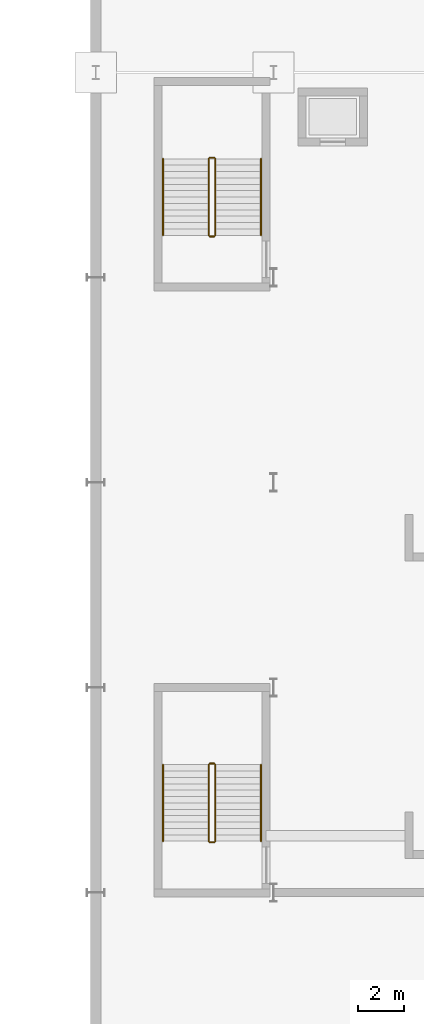
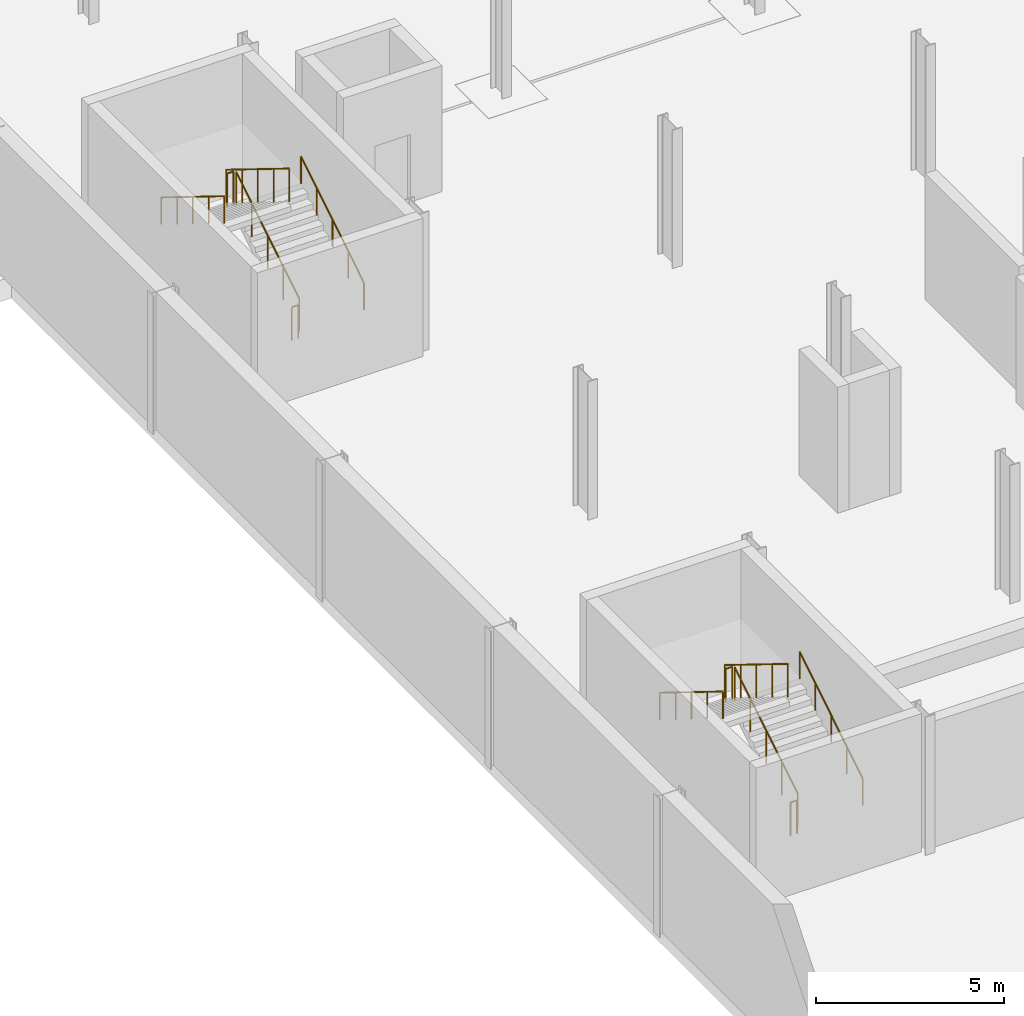
# One storey, part 35 of 45: 12 railings.
"""IFC4 building model written with IfcOpenShell, lengths in metres."""

from ifc_helpers import new_model, si_unit, direction, frame, origin, origin_2d, place, context, subcontext, project, spatial, circle, extrude, material, type_object, element, save


model = new_model("IFC4")

# Units and contexts
model_context = context("Model", 3, precision=1e-05, world=origin(), true_north=direction((0.0, 1.0)))
body_context = subcontext(model_context, "Body", "Model", "MODEL_VIEW")
ifc_project = project(units=[si_unit("LENGTHUNIT", "METRE"), si_unit("AREAUNIT", "SQUARE_METRE"), si_unit("VOLUMEUNIT", "CUBIC_METRE"), si_unit("PLANEANGLEUNIT", "RADIAN"), si_unit("MASSUNIT", "GRAM", prefix="KILO")], contexts=[model_context])

# Site, building, storey
site_placement = place(None, origin())
site = spatial("IfcSite", under=ifc_project, at=site_placement, CompositionType="ELEMENT")
building_placement = place(site_placement, origin())
building = spatial("IfcBuilding", under=site, at=building_placement, Name="Sefraquen Railside Congress Hotel", CompositionType="ELEMENT")
storey_placement = place(building_placement, frame((0.0, 0.0, -4.5)))
storey = spatial("IfcBuildingStorey", under=building, at=storey_placement, Name="B01", CompositionType="ELEMENT", Elevation=-4.5)

# Railings
ifc_material = material(Name="Patinated wrought architectural bronze", Category="metal")
railing_type_1 = type_object("IfcRailingType", Name="TRL-BAL-110", PredefinedType="BALUSTRADE", material=ifc_material)
railing_1_placement = place(storey_placement, frame((30.449951171875, 20.260009765625, 0.173095703125)))
element("IfcRailing", 1, at=railing_1_placement, inside=storey, type_object=railing_type_1, Name="B01 ST-C01 stair guard 1", PredefinedType="BALUSTRADE", context=body_context, shape_type="SweptSolid", body=[
    extrude(circle(Radius=0.02392578125, at=origin_2d()), frame((0.0, 0.0, 1.076171875), z_axis=(0.0, 0.850623216509, 0.525775754039), x_axis=(-1.0, 0.0, 0.0)), (0.0, 0.0, 1.0), 3.9501953125),
    extrude(circle(Radius=0.02099609375, at=origin_2d()), origin(), (0.0, 0.0, 1.0), 1.052001953125),
    extrude(circle(Radius=0.02099609375, at=origin_2d()), frame((0.0, 0.840087890625, 0.519287109375)), (0.0, 0.0, 1.0), 1.052001953125),
    extrude(circle(Radius=0.02099609375, at=origin_2d()), frame((0.0, 1.68017578125, 1.03857421875)), (0.0, 0.0, 1.0), 1.052001953125),
    extrude(circle(Radius=0.02099609375, at=origin_2d()), frame((0.0, 2.52001953125, 1.5576171875)), (0.0, 0.0, 1.0), 1.052001953125),
    extrude(circle(Radius=0.02099609375, at=origin_2d()), frame((0.0, 3.360107421875, 2.076904296875)), (0.0, 0.0, 1.0), 1.052001953125),
])
railing_2_placement = place(storey_placement, frame((30.39990234375, 23.669921875, 2.25)))
element("IfcRailing", 2, at=railing_2_placement, inside=storey, type_object=railing_type_1, Name="B01 ST-C01 stair guard 2", PredefinedType="BALUSTRADE", context=body_context, shape_type="SweptSolid", body=[
    extrude(circle(Radius=0.02392578125, at=origin_2d()), frame((0.0, 0.0, 1.076171875), z_axis=(-1.0, 0.0, 0.0), x_axis=(0.0, -1.0, 0.0)), (0.0, 0.0, 1.0), 0.199951171875),
    extrude(circle(Radius=0.02099609375, at=origin_2d()), origin(), (0.0, 0.0, 1.0), 1.052001953125),
    extrude(circle(Radius=0.02099609375, at=origin_2d()), frame((-0.199951171875, 0.0, 0.0)), (0.0, 0.0, 1.0), 1.052001953125),
])
railing_3_placement = place(storey_placement, frame((30.14990234375, 23.6201171875, 2.423095703125)))
element("IfcRailing", 3, at=railing_3_placement, inside=storey, type_object=railing_type_1, Name="B01 ST-C01 stair guard 3", PredefinedType="BALUSTRADE", context=body_context, shape_type="SweptSolid", body=[
    extrude(circle(Radius=0.02392578125, at=origin_2d()), frame((0.0, 0.0, 1.076171875), z_axis=(0.0, -0.850623216509, 0.525775754039), x_axis=(1.0, 0.0, 0.0)), (0.0, 0.0, 1.0), 3.9501953125),
    extrude(circle(Radius=0.02099609375, at=origin_2d()), origin(), (0.0, 0.0, 1.0), 1.052001953125),
    extrude(circle(Radius=0.02099609375, at=origin_2d()), frame((0.0, -0.840087890625, 0.519287109375)), (0.0, 0.0, 1.0), 1.052001953125),
    extrude(circle(Radius=0.02099609375, at=origin_2d()), frame((0.0, -1.68017578125, 1.03857421875)), (0.0, 0.0, 1.0), 1.052001953125),
    extrude(circle(Radius=0.02099609375, at=origin_2d()), frame((0.0, -2.52001953125, 1.5576171875)), (0.0, 0.0, 1.0), 1.052001953125),
    extrude(circle(Radius=0.02099609375, at=origin_2d()), frame((0.0, -3.360107421875, 2.076904296875)), (0.0, 0.0, 1.0), 1.052001953125),
])
railing_4_placement = place(storey_placement, frame((30.39990234375, 20.2099609375, 0.0)))
element("IfcRailing", 4, at=railing_4_placement, inside=storey, type_object=railing_type_1, Name="B01 ST-C01 stair guard 4", PredefinedType="BALUSTRADE", context=body_context, shape_type="SweptSolid", body=[
    extrude(circle(Radius=0.02392578125, at=origin_2d()), frame((0.0, 0.0, 1.076171875), z_axis=(-1.0, 0.0, 0.0), x_axis=(0.0, -1.0, 0.0)), (0.0, 0.0, 1.0), 0.199951171875),
    extrude(circle(Radius=0.02099609375, at=origin_2d()), origin(), (0.0, 0.0, 1.0), 1.052001953125),
    extrude(circle(Radius=0.02099609375, at=origin_2d()), frame((-0.199951171875, 0.0, 0.0)), (0.0, 0.0, 1.0), 1.052001953125),
])
railing_5_placement = place(storey_placement, frame((30.449951171875, 46.85009765625, 0.173095703125)))
element("IfcRailing", 5, at=railing_5_placement, inside=storey, type_object=railing_type_1, Name="B01 ST-C02 stair guard 1", PredefinedType="BALUSTRADE", context=body_context, shape_type="SweptSolid", body=[
    extrude(circle(Radius=0.02392578125, at=origin_2d()), frame((0.0, 0.0, 1.076171875), z_axis=(0.0, 0.850606129759, 0.525803396734), x_axis=(-1.0, 0.0, 0.0)), (0.0, 0.0, 1.0), 3.949951171875),
    extrude(circle(Radius=0.02099609375, at=origin_2d()), origin(), (0.0, 0.0, 1.0), 1.052001953125),
    extrude(circle(Radius=0.02099609375, at=origin_2d()), frame((0.0, 0.83984375, 0.519287109375)), (0.0, 0.0, 1.0), 1.052001953125),
    extrude(circle(Radius=0.02099609375, at=origin_2d()), frame((0.0, 1.679931640625, 1.03857421875)), (0.0, 0.0, 1.0), 1.052001953125),
    extrude(circle(Radius=0.02099609375, at=origin_2d()), frame((0.0, 2.52001953125, 1.5576171875)), (0.0, 0.0, 1.0), 1.052001953125),
    extrude(circle(Radius=0.02099609375, at=origin_2d()), frame((0.0, 3.35986328125, 2.076904296875)), (0.0, 0.0, 1.0), 1.052001953125),
])
railing_6_placement = place(storey_placement, frame((30.39990234375, 50.260009765625, 2.25)))
element("IfcRailing", 6, at=railing_6_placement, inside=storey, type_object=railing_type_1, Name="B01 ST-C02 stair guard 2", PredefinedType="BALUSTRADE", context=body_context, shape_type="SweptSolid", body=[
    extrude(circle(Radius=0.02392578125, at=origin_2d()), frame((0.0, 0.0, 1.076171875), z_axis=(-1.0, 0.0, 0.0), x_axis=(0.0, -1.0, 0.0)), (0.0, 0.0, 1.0), 0.199951171875),
    extrude(circle(Radius=0.02099609375, at=origin_2d()), origin(), (0.0, 0.0, 1.0), 1.052001953125),
    extrude(circle(Radius=0.02099609375, at=origin_2d()), frame((-0.199951171875, 0.0, 0.0)), (0.0, 0.0, 1.0), 1.052001953125),
])
railing_7_placement = place(storey_placement, frame((30.14990234375, 50.2099609375, 2.423095703125)))
element("IfcRailing", 7, at=railing_7_placement, inside=storey, type_object=railing_type_1, Name="B01 ST-C02 stair guard 3", PredefinedType="BALUSTRADE", context=body_context, shape_type="SweptSolid", body=[
    extrude(circle(Radius=0.02392578125, at=origin_2d()), frame((0.0, 0.0, 1.076171875), z_axis=(0.0, -0.850606129759, 0.525803396734), x_axis=(1.0, 0.0, 0.0)), (0.0, 0.0, 1.0), 3.949951171875),
    extrude(circle(Radius=0.02099609375, at=origin_2d()), origin(), (0.0, 0.0, 1.0), 1.052001953125),
    extrude(circle(Radius=0.02099609375, at=origin_2d()), frame((0.0, -0.83984375, 0.519287109375)), (0.0, 0.0, 1.0), 1.052001953125),
    extrude(circle(Radius=0.02099609375, at=origin_2d()), frame((0.0, -1.679931640625, 1.03857421875)), (0.0, 0.0, 1.0), 1.052001953125),
    extrude(circle(Radius=0.02099609375, at=origin_2d()), frame((0.0, -2.52001953125, 1.5576171875)), (0.0, 0.0, 1.0), 1.052001953125),
    extrude(circle(Radius=0.02099609375, at=origin_2d()), frame((0.0, -3.35986328125, 2.076904296875)), (0.0, 0.0, 1.0), 1.052001953125),
])
railing_8_placement = place(storey_placement, frame((30.39990234375, 46.800048828125, 0.0)))
element("IfcRailing", 8, at=railing_8_placement, inside=storey, type_object=railing_type_1, Name="B01 ST-C02 stair guard 4", PredefinedType="BALUSTRADE", context=body_context, shape_type="SweptSolid", body=[
    extrude(circle(Radius=0.02392578125, at=origin_2d()), frame((0.0, 0.0, 1.076171875), z_axis=(-1.0, 0.0, 0.0), x_axis=(0.0, -1.0, 0.0)), (0.0, 0.0, 1.0), 0.199951171875),
    extrude(circle(Radius=0.02099609375, at=origin_2d()), origin(), (0.0, 0.0, 1.0), 1.052001953125),
    extrude(circle(Radius=0.02099609375, at=origin_2d()), frame((-0.199951171875, 0.0, 0.0)), (0.0, 0.0, 1.0), 1.052001953125),
])
railing_type_2 = type_object("IfcRailingType", Name="TRL-HR-090", PredefinedType="HANDRAIL", material=ifc_material)
railing_9_placement = place(storey_placement, frame((32.449951171875, 20.260009765625, 0.173095703125)))
element("IfcRailing", 9, at=railing_9_placement, inside=storey, type_object=railing_type_2, Name="B01 ST-C01 stair handrail 1", PredefinedType="HANDRAIL", context=body_context, shape_type="SweptSolid", body=[
    extrude(circle(Radius=0.02392578125, at=origin_2d()), frame((0.0, 0.0, 0.8759765625), z_axis=(0.0, 0.850623216509, 0.525775754039), x_axis=(-1.0, 0.0, 0.0)), (0.0, 0.0, 1.0), 3.9501953125),
    extrude(circle(Radius=0.02099609375, at=origin_2d()), origin(), (0.0, 0.0, 1.0), 0.851806640625),
    extrude(circle(Radius=0.02099609375, at=origin_2d()), frame((0.0, 0.840087890625, 0.519287109375)), (0.0, 0.0, 1.0), 0.851806640625),
    extrude(circle(Radius=0.02099609375, at=origin_2d()), frame((0.0, 1.68017578125, 1.03857421875)), (0.0, 0.0, 1.0), 0.851806640625),
    extrude(circle(Radius=0.02099609375, at=origin_2d()), frame((0.0, 2.52001953125, 1.5576171875)), (0.0, 0.0, 1.0), 0.851806640625),
    extrude(circle(Radius=0.02099609375, at=origin_2d()), frame((0.0, 3.360107421875, 2.076904296875)), (0.0, 0.0, 1.0), 0.851806640625),
])
railing_10_placement = place(storey_placement, frame((28.14990234375, 23.6201171875, 2.423095703125)))
element("IfcRailing", 10, at=railing_10_placement, inside=storey, type_object=railing_type_2, Name="B01 ST-C01 stair handrail 2", PredefinedType="HANDRAIL", context=body_context, shape_type="SweptSolid", body=[
    extrude(circle(Radius=0.02392578125, at=origin_2d()), frame((0.0, 0.0, 0.8759765625), z_axis=(0.0, -0.850623216509, 0.525775754039), x_axis=(1.0, 0.0, 0.0)), (0.0, 0.0, 1.0), 3.9501953125),
    extrude(circle(Radius=0.02099609375, at=origin_2d()), origin(), (0.0, 0.0, 1.0), 0.851806640625),
    extrude(circle(Radius=0.02099609375, at=origin_2d()), frame((0.0, -0.840087890625, 0.519287109375)), (0.0, 0.0, 1.0), 0.851806640625),
    extrude(circle(Radius=0.02099609375, at=origin_2d()), frame((0.0, -1.68017578125, 1.03857421875)), (0.0, 0.0, 1.0), 0.851806640625),
    extrude(circle(Radius=0.02099609375, at=origin_2d()), frame((0.0, -2.52001953125, 1.5576171875)), (0.0, 0.0, 1.0), 0.851806640625),
    extrude(circle(Radius=0.02099609375, at=origin_2d()), frame((0.0, -3.360107421875, 2.076904296875)), (0.0, 0.0, 1.0), 0.851806640625),
])
railing_11_placement = place(storey_placement, frame((32.449951171875, 46.85009765625, 0.173095703125)))
element("IfcRailing", 11, at=railing_11_placement, inside=storey, type_object=railing_type_2, Name="B01 ST-C02 stair handrail 1", PredefinedType="HANDRAIL", context=body_context, shape_type="SweptSolid", body=[
    extrude(circle(Radius=0.02392578125, at=origin_2d()), frame((0.0, 0.0, 0.8759765625), z_axis=(0.0, 0.850606129759, 0.525803396734), x_axis=(-1.0, 0.0, 0.0)), (0.0, 0.0, 1.0), 3.949951171875),
    extrude(circle(Radius=0.02099609375, at=origin_2d()), origin(), (0.0, 0.0, 1.0), 0.851806640625),
    extrude(circle(Radius=0.02099609375, at=origin_2d()), frame((0.0, 0.83984375, 0.519287109375)), (0.0, 0.0, 1.0), 0.851806640625),
    extrude(circle(Radius=0.02099609375, at=origin_2d()), frame((0.0, 1.679931640625, 1.03857421875)), (0.0, 0.0, 1.0), 0.851806640625),
    extrude(circle(Radius=0.02099609375, at=origin_2d()), frame((0.0, 2.52001953125, 1.5576171875)), (0.0, 0.0, 1.0), 0.851806640625),
    extrude(circle(Radius=0.02099609375, at=origin_2d()), frame((0.0, 3.35986328125, 2.076904296875)), (0.0, 0.0, 1.0), 0.851806640625),
])
railing_12_placement = place(storey_placement, frame((28.14990234375, 50.2099609375, 2.423095703125)))
element("IfcRailing", 12, at=railing_12_placement, inside=storey, type_object=railing_type_2, Name="B01 ST-C02 stair handrail 2", PredefinedType="HANDRAIL", context=body_context, shape_type="SweptSolid", body=[
    extrude(circle(Radius=0.02392578125, at=origin_2d()), frame((0.0, 0.0, 0.8759765625), z_axis=(0.0, -0.850606129759, 0.525803396734), x_axis=(1.0, 0.0, 0.0)), (0.0, 0.0, 1.0), 3.949951171875),
    extrude(circle(Radius=0.02099609375, at=origin_2d()), origin(), (0.0, 0.0, 1.0), 0.851806640625),
    extrude(circle(Radius=0.02099609375, at=origin_2d()), frame((0.0, -0.83984375, 0.519287109375)), (0.0, 0.0, 1.0), 0.851806640625),
    extrude(circle(Radius=0.02099609375, at=origin_2d()), frame((0.0, -1.679931640625, 1.03857421875)), (0.0, 0.0, 1.0), 0.851806640625),
    extrude(circle(Radius=0.02099609375, at=origin_2d()), frame((0.0, -2.52001953125, 1.5576171875)), (0.0, 0.0, 1.0), 0.851806640625),
    extrude(circle(Radius=0.02099609375, at=origin_2d()), frame((0.0, -3.35986328125, 2.076904296875)), (0.0, 0.0, 1.0), 0.851806640625),
])

save(model, "model.ifc")
